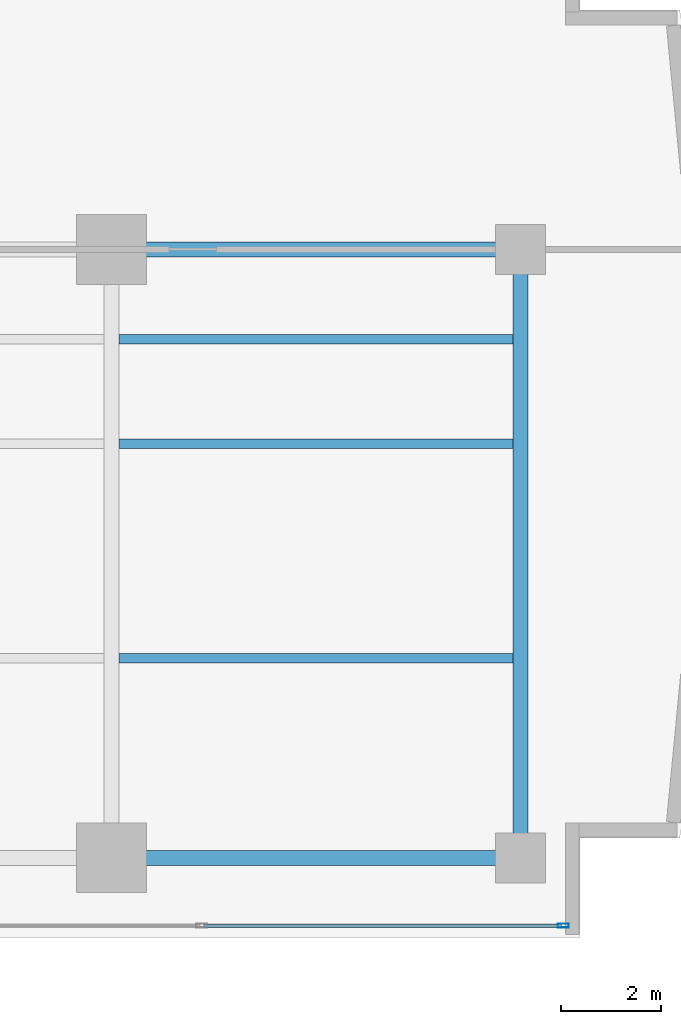
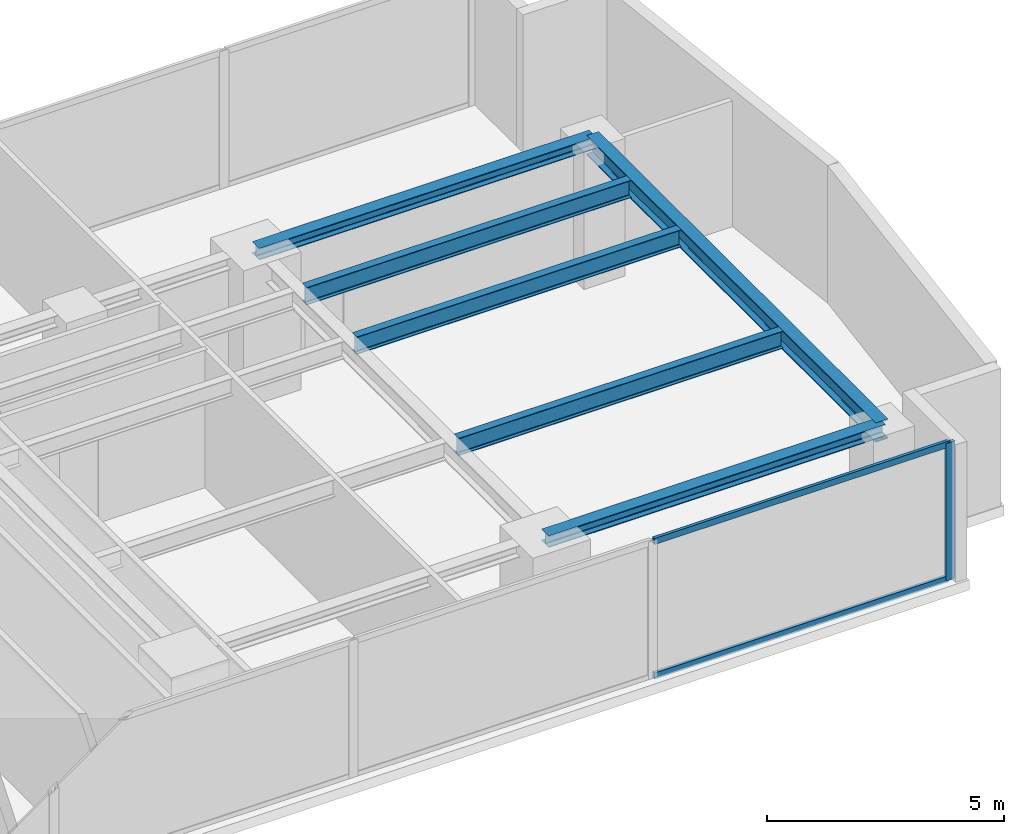
# One storey, part 12 of 24: 6 beams, 3 members, 1 element without a shape of its own.
"""IFC4 building model written with IfcOpenShell, lengths in metres."""

from ifc_helpers import new_model, si_unit, direction, frame, origin, origin_with_axes, origin_2d, place, context, subcontext, project, spatial, hollow_rectangle, i_section, extrude, source, transform, mapped, material, layer, layer_set, material_profile, profile_set, type_object, element, aggregate, save


model = new_model("IFC4")

# Units and contexts
model_context = context("Model", 3, precision=1e-05, world=origin(), true_north=direction((0.0, 1.0)))
body_context = subcontext(model_context, "Body", "Model", "MODEL_VIEW")
ifc_project = project(units=[si_unit("LENGTHUNIT", "METRE"), si_unit("AREAUNIT", "SQUARE_METRE"), si_unit("VOLUMEUNIT", "CUBIC_METRE"), si_unit("PLANEANGLEUNIT", "RADIAN"), si_unit("MASSUNIT", "GRAM", prefix="KILO")], contexts=[model_context])

# Site, building, storey
site_placement = place(None, origin())
site = spatial("IfcSite", under=ifc_project, at=site_placement, CompositionType="ELEMENT")
building_placement = place(site_placement, origin())
building = spatial("IfcBuilding", under=site, at=building_placement, Name="Kolvaren Waterfront Exchange", CompositionType="ELEMENT")
storey_placement = place(building_placement, frame((0.0, 0.0, 95.5)))
storey = spatial("IfcBuildingStorey", under=building, at=storey_placement, Name="L24", CompositionType="ELEMENT", Elevation=95.5)

# Beams
ifc_material_1 = material(Name="Steel S355", Category="steel")
ifc_material_profile_1 = material_profile(ifc_material_1, i_section(OverallWidth=0.300048828125, OverallDepth=0.300048828125, WebThickness=0.010986328125, FlangeThickness=0.01904296875, FilletRadius=0.027099609375, at=origin_2d()), Name="HEB300")
ifc_profile_set_1 = profile_set([ifc_material_profile_1], Name="Steel S355")
beam_type_1 = type_object("IfcBeamType", Name="STR-BM-HEB300", PredefinedType="SPANDREL", material=ifc_profile_set_1)
for number, where, z_axis, x_axis, name in (
    (1, (45.60009765625, 5.199951171875, 3.389892578125), (1.0, 0.0, 0.0), (0.0, 1.0, 0.0), "L24 east-arm spandrel S4"),
    (2, (45.60009765625, 17.39990234375, 3.389892578125), (1.0, 0.0, 0.0), (0.0, 1.0, 0.0), "L24 east-arm spandrel N4"),
):
    element("IfcBeam", number, at=place(storey_placement, frame(where, z_axis=z_axis, x_axis=x_axis)), inside=storey, type_object=beam_type_1, Name=name, PredefinedType="SPANDREL", context=body_context, shape_type="SweptSolid", body=[
        extrude(i_section(OverallWidth=0.300048828125, OverallDepth=0.300048828125, WebThickness=0.010986328125, FlangeThickness=0.01904296875, FilletRadius=0.027099609375, at=origin_2d()), origin(), (0.0, 0.0, 1.0), 8.199951171875),
    ])
ifc_material_profile_2 = material_profile(ifc_material_1, i_section(OverallWidth=0.300048828125, OverallDepth=0.5, WebThickness=0.014404296875, FlangeThickness=0.028076171875, FilletRadius=0.027099609375, at=origin_2d()), Name="HEB500")
ifc_profile_set_2 = profile_set([ifc_material_profile_2], Name="Steel S355")
beam_type_2 = type_object("IfcBeamType", Name="STR-BM-HEB500", PredefinedType="BEAM", material=ifc_profile_set_2)
beam_placement = place(storey_placement, frame((53.800048828125, 5.199951171875, 3.2900390625), z_axis=(0.0, 1.0, 0.0), x_axis=(-1.0, 0.0, 0.0)))
element("IfcBeam", 3, at=beam_placement, inside=storey, type_object=beam_type_2, Name="L24 east-arm transverse girder X53", PredefinedType="BEAM", context=body_context, shape_type="SweptSolid", body=[
    extrude(i_section(OverallWidth=0.300048828125, OverallDepth=0.5, WebThickness=0.014404296875, FlangeThickness=0.028076171875, FilletRadius=0.027099609375, at=origin_2d()), origin(), (0.0, 0.0, 1.0), 12.199951171875),
])
ifc_material_profile_3 = material_profile(ifc_material_1, i_section(OverallWidth=0.18994140625, OverallDepth=0.449951171875, WebThickness=0.009521484375, FlangeThickness=0.0146484375, FilletRadius=0.02099609375, at=origin_2d()), Name="IPE450")
ifc_profile_set_3 = profile_set([ifc_material_profile_3], Name="Steel S355")
beam_type_3 = type_object("IfcBeamType", Name="STR-BM-IPE450", PredefinedType="JOIST", material=ifc_profile_set_3)
for number, where, z_axis, x_axis, name in (
    (4, (45.751953125, 13.5, 3.31494140625), (1.0, 0.0, 0.0), (0.0, 1.0, 0.0), "L24 east-arm composite joist 4A"),
    (5, (45.751953125, 15.60009765625, 3.31494140625), (1.0, 0.0, 0.0), (0.0, 1.0, 0.0), "L24 east-arm composite joist 4C"),
    (6, (45.751953125, 9.199951171875, 3.31494140625), (1.0, 0.0, 0.0), (0.0, 1.0, 0.0), "L24 east-arm composite joist 4B"),
):
    element("IfcBeam", number, at=place(storey_placement, frame(where, z_axis=z_axis, x_axis=x_axis)), inside=storey, type_object=beam_type_3, Name=name, PredefinedType="JOIST", context=body_context, shape_type="SweptSolid", body=[
        extrude(i_section(OverallWidth=0.18994140625, OverallDepth=0.449951171875, WebThickness=0.009521484375, FlangeThickness=0.0146484375, FilletRadius=0.02099609375, at=origin_2d()), origin(), (0.0, 0.0, 1.0), 7.89599609375),
    ])

# Curtain wall, members
ifc_material_2 = material(Name="Anodised bronze aluminium 6063-T6", Category="aluminium")
ifc_layer = layer(ifc_material_2, 0.219970703125, Name="Anodised bronze aluminium 6063-T6")
ifc_layer_set = layer_set([ifc_layer], Name="Anodised bronze aluminium 6063-T6")
curtain_wall_type = type_object("IfcCurtainWallType", Name="ARC-CW-SYS1", PredefinedType="USERDEFINED", material=ifc_layer_set)
curtain_wall_placement = place(storey_placement, origin())
curtain_wall = element("IfcCurtainWall", 7, at=curtain_wall_placement, inside=storey, type_object=curtain_wall_type, Name="L24 stick curtain wall CW1 (CW-L24-S)", ObjectType="STICK CURTAIN WALL", PredefinedType="USERDEFINED")
ifc_material_3 = material(Name="Anodised aluminium 6063-T6", Category="aluminium")
ifc_material_profile_4 = material_profile(ifc_material_3, hollow_rectangle(XDim=0.080078125, YDim=0.219970703125, WallThickness=0.0048828125, at=origin_2d()), Name="ALU-MUL-220x80x5")
ifc_profile_set_4 = profile_set([ifc_material_profile_4], Name="Anodised aluminium 6063-T6")
member_type_1 = type_object("IfcMemberType", Name="ARC-CWM-220", PredefinedType="MULLION", material=ifc_profile_set_4)
shared_shape_1 = source(origin_with_axes(), body_context, "Body", "SweptSolid", [
    extrude(hollow_rectangle(XDim=0.080078125, YDim=0.219970703125, WallThickness=0.0048828125, at=origin_2d()), origin(), (0.0, 0.0, 1.0), 3.5400390625),
])
member_1_placement = place(storey_placement, frame((54.659912109375, 3.840087890625, 0.0), z_axis=(0.0, 0.0, 1.0), x_axis=(0.0, 1.0, 0.0)))
member_1 = element("IfcMember", 8, at=member_1_placement, type_object=member_type_1, Name="CW1 mullion 8", PredefinedType="MULLION", context=body_context, shape_type="MappedRepresentation", body=[
    mapped(shared_shape_1, transform((0.0, 0.0, 0.0), x_axis=(1.0, 0.0, 0.0), y_axis=(0.0, 1.0, 0.0), z_axis=(0.0, 0.0, 1.0), scale=1.0)),
])
ifc_material_profile_5 = material_profile(ifc_material_3, hollow_rectangle(XDim=0.074951171875, YDim=0.159912109375, WallThickness=0.00439453125, at=origin_2d()), Name="ALU-TRN-160x75x4.5")
ifc_profile_set_5 = profile_set([ifc_material_profile_5], Name="Anodised aluminium 6063-T6")
member_type_2 = type_object("IfcMemberType", Name="ARC-CWT-160", PredefinedType="USERDEFINED", material=ifc_profile_set_5)
shared_shape_2 = source(origin_with_axes(), body_context, "Body", "SweptSolid", [
    extrude(hollow_rectangle(XDim=0.074951171875, YDim=0.159912109375, WallThickness=0.00439453125, at=origin_2d()), origin(), (0.0, 0.0, 1.0), 7.165771484375),
])
member_2_placement = place(storey_placement, frame((47.454345703125, 3.840087890625, 0.03759765625), z_axis=(1.0, 0.0, 0.0), x_axis=(0.0, 1.0, 0.0)))
member_2 = element("IfcMember", 9, at=member_2_placement, type_object=member_type_2, Name="CW1 transom 7.1", ObjectType="TRANSOM", PredefinedType="USERDEFINED", context=body_context, shape_type="MappedRepresentation", body=[
    mapped(shared_shape_2, transform((0.0, 0.0, 0.0), x_axis=(1.0, 0.0, 0.0), y_axis=(0.0, 1.0, 0.0), z_axis=(0.0, 0.0, 1.0), scale=1.0)),
])
member_3_placement = place(storey_placement, frame((47.454345703125, 3.840087890625, 3.50244140625), z_axis=(1.0, 0.0, 0.0), x_axis=(0.0, 1.0, 0.0)))
member_3 = element("IfcMember", 10, at=member_3_placement, type_object=member_type_2, Name="CW1 transom 7.2", ObjectType="TRANSOM", PredefinedType="USERDEFINED", context=body_context, shape_type="MappedRepresentation", body=[
    mapped(shared_shape_2, transform((0.0, 0.0, 0.0), x_axis=(1.0, 0.0, 0.0), y_axis=(0.0, 1.0, 0.0), z_axis=(0.0, 0.0, 1.0), scale=1.0)),
])
aggregate(curtain_wall, [member_1, member_2, member_3])

save(model, "model.ifc")
